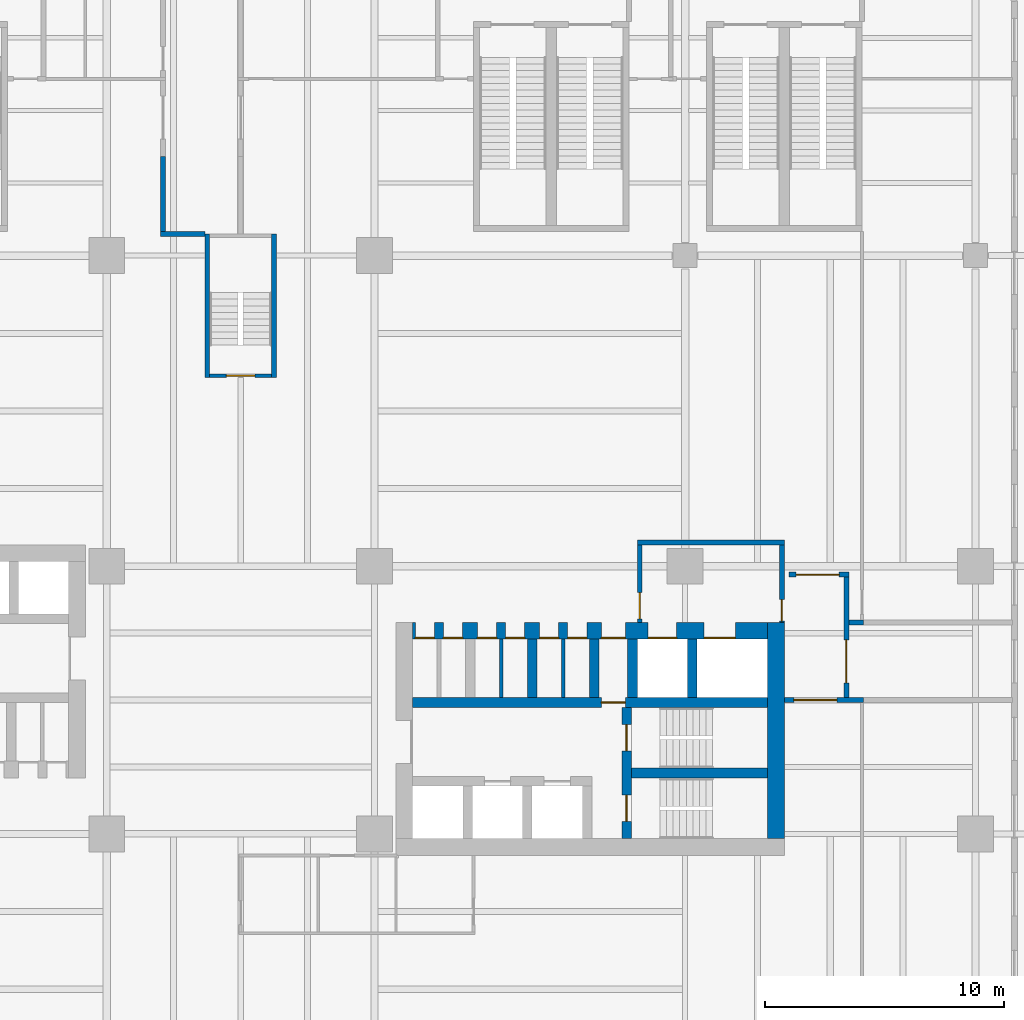
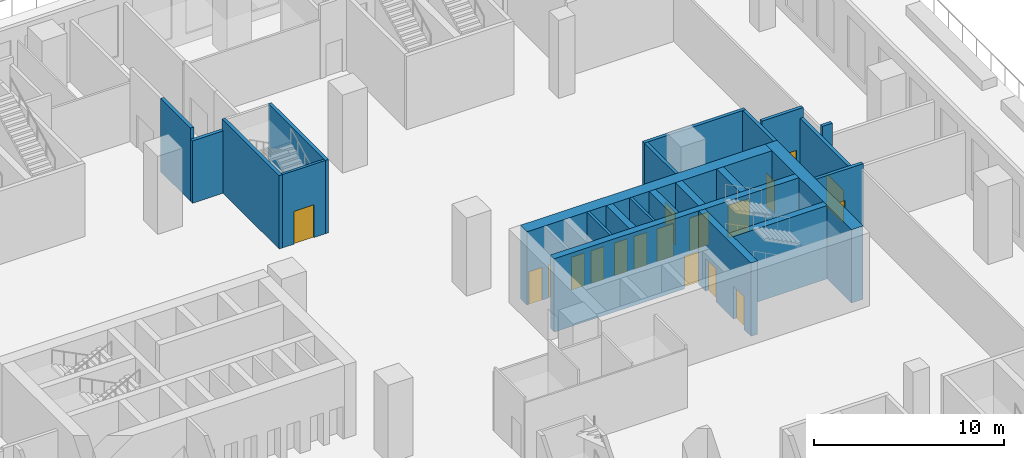
# One storey, part 10 of 17: 23 walls, 18 doors, 18 openings.
"""IFC4 building model written with IfcOpenShell, lengths in metres."""

from ifc_helpers import new_model, si_unit, direction, frame, frame_2d, origin, place, context, subcontext, project, spatial, rectangle, extrude, source, transform, mapped, material, layer, layer_set, type_object, element, fill, save


model = new_model("IFC4")

# Units and contexts
model_context = context("Model", 3, precision=1e-05, world=origin(), true_north=direction((0.0, 1.0)))
body_context = subcontext(model_context, "Body", "Model", "MODEL_VIEW")
ifc_project = project(units=[si_unit("LENGTHUNIT", "METRE"), si_unit("AREAUNIT", "SQUARE_METRE"), si_unit("VOLUMEUNIT", "CUBIC_METRE"), si_unit("PLANEANGLEUNIT", "RADIAN"), si_unit("MASSUNIT", "GRAM", prefix="KILO")], contexts=[model_context])

# Site, building, storey
site_placement = place(None, origin())
site = spatial("IfcSite", under=ifc_project, at=site_placement, CompositionType="ELEMENT")
building_placement = place(site_placement, origin())
building = spatial("IfcBuilding", under=site, at=building_placement, Name="Trellis Farm Tower", CompositionType="ELEMENT")
storey_placement = place(building_placement, frame((0.0, 0.0, 24.0)))
storey = spatial("IfcBuildingStorey", under=building, at=storey_placement, Name="L04", CompositionType="ELEMENT", Elevation=24.0)

# Walls
ifc_material_1 = material(Name="Concrete C80/95", Category="concrete")
ifc_layer_1 = layer(ifc_material_1, 0.699951171875)
ifc_layer_set_1 = layer_set([ifc_layer_1], Name="CORE OUTER WALL 700 CONCRETE C80/95")
wall_type_1 = type_object("IfcWallType", Name="CORE OUTER WALL 700 CONCRETE C80/95", PredefinedType="SHEAR", material=ifc_layer_set_1)
shared_shape_1 = source(origin(), body_context, "Body", "SweptSolid", [
    extrude(rectangle(XDim=9.050048828125, YDim=0.699951171875, at=frame_2d((4.52490234375, 0.0))), origin(), (0.0, 0.0, 1.0), 4.699951171875),
])
wall_1_placement = place(storey_placement, frame((22.39990234375, -5.800048828125, 0.0), z_axis=(0.0, 0.0, 1.0), x_axis=(0.0, 1.0, 0.0)))
element("IfcWall", 1, at=wall_1_placement, inside=storey, type_object=wall_type_1, Name="Core wall", PredefinedType="SHEAR", context=body_context, shape_type="MappedRepresentation", body=[
    mapped(shared_shape_1, transform((0.0, 0.0, 0.0))),
])
ifc_layer_2 = layer(ifc_material_1, 0.39990234375)
ifc_layer_set_2 = layer_set([ifc_layer_2], Name="CORE INNER WALL 400 CONCRETE C80/95")
wall_type_2 = type_object("IfcWallType", Name="CORE INNER WALL 400 CONCRETE C80/95", PredefinedType="SHEAR", material=ifc_layer_set_2)
shared_shape_2 = source(origin(), body_context, "Body", "SweptSolid", [
    extrude(rectangle(XDim=2.449951171875, YDim=0.39990234375, at=frame_2d((1.22509765625, 0.0))), origin(), (0.0, 0.0, 1.0), 4.699951171875),
])
for number, where, z_axis, x_axis, name in (
    (2, (12.199951171875, 0.10009765625, 0.0), (0.0, 0.0, 1.0), (0.0, 1.0, 0.0), "Core wall"),
    (3, (14.800048828125, 0.10009765625, 0.0), (0.0, 0.0, 1.0), (0.0, 1.0, 0.0), "Core wall"),
    (4, (16.39990234375, 0.10009765625, 0.0), (0.0, 0.0, 1.0), (0.0, 1.0, 0.0), "Core wall"),
    (5, (18.89990234375, 0.10009765625, 0.0), (0.0, 0.0, 1.0), (0.0, 1.0, 0.0), "Core wall"),
):
    element("IfcWall", number, at=place(storey_placement, frame(where, z_axis=z_axis, x_axis=x_axis)), inside=storey, type_object=wall_type_2, Name=name, PredefinedType="SHEAR", context=body_context, shape_type="MappedRepresentation", body=[
        mapped(shared_shape_2, transform((0.0, 0.0, 0.0))),
    ])

# Wall, opening, door
ifc_material_2 = material(Name="Masonry blockwork", Category="masonry")
ifc_layer_3 = layer(ifc_material_2, 0.199951171875)
ifc_layer_set_3 = layer_set([ifc_layer_3], Name="FIRE LOBBY PARTITION 200 BLOCKWORK")
wall_type_3 = type_object("IfcWallType", Name="FIRE LOBBY PARTITION 200 BLOCKWORK", PredefinedType="PARTITIONING", material=ifc_layer_set_3)
shared_shape_3 = source(origin(), body_context, "Body", "SweptSolid", [
    extrude(rectangle(XDim=3.25, YDim=0.199951171875, at=frame_2d((1.625, 0.0))), origin(), (0.0, 0.0, 1.0), 4.699951171875),
])
wall_2_placement = place(storey_placement, frame((16.699951171875, 3.25, 0.0), z_axis=(0.0, 0.0, 1.0), x_axis=(0.0, 1.0, 0.0)))
wall_2 = element("IfcWall", 6, at=wall_2_placement, inside=storey, type_object=wall_type_3, Name="Fire-fighting lobby partition", PredefinedType="PARTITIONING", context=body_context, shape_type="MappedRepresentation", body=[
    mapped(shared_shape_3, transform((0.0, 0.0, 0.0))),
])
shared_shape_4 = source(origin(), body_context, "Body", "SweptSolid", [
    extrude(rectangle(XDim=1.10009765625, YDim=2.10009765625, at=frame_2d((0.550048828125, 1.050048828125))), frame((0.0, 0.110107421875, 0.0), z_axis=(0.0, -1.0, 0.0), x_axis=(1.0, 0.0, 0.0)), (0.0, 0.0, 1.0), 0.22021484375),
])
opening_1_placement = place(wall_2_placement, frame((0.14990234375, 0.0, 0.0)))
opening_1 = element("IfcOpeningElement", 7, at=opening_1_placement, cuts=wall_2, Name="Opening DC7", PredefinedType="OPENING", context=body_context, shape_type="MappedRepresentation", body=[
    mapped(shared_shape_4, transform((0.0, 0.0, 0.0))),
])
ifc_material_3 = material(Name="Steel", Category="steel")
door_type_1 = type_object("IfcDoorType", Name="CORE FIRE DOOR 1100 X 2100", OperationType="NOTDEFINED", PredefinedType="DOOR", material=ifc_material_3)
shared_shape_5 = source(origin(), body_context, "Body", "SweptSolid", [
    extrude(rectangle(XDim=1.10009765625, YDim=2.10009765625, at=frame_2d((0.550048828125, 1.050048828125))), frame((0.0, 0.02490234375, 0.0), z_axis=(0.0, -1.0, 0.0), x_axis=(1.0, 0.0, 0.0)), (0.0, 0.0, 1.0), 0.050048828125),
])
door_1_placement = place(opening_1_placement, origin())
door_1 = element("IfcDoor", 8, at=door_1_placement, inside=storey, type_object=door_type_1, Name="Core door", OperationType="SINGLE_SWING_RIGHT", OverallHeight=2.10009765625, OverallWidth=1.10009765625, PredefinedType="DOOR", context=body_context, shape_type="MappedRepresentation", body=[
    mapped(shared_shape_5, transform((0.0, 0.0, 0.0))),
])
fill(opening_1, door_1)

wall_3_placement = place(storey_placement, frame((22.64990234375, 3.25, 0.0), z_axis=(0.0, 0.0, 1.0), x_axis=(0.0, 1.0, 0.0)))
wall_3 = element("IfcWall", 9, at=wall_3_placement, inside=storey, type_object=wall_type_3, Name="Fire-fighting lobby partition", PredefinedType="PARTITIONING", context=body_context, shape_type="MappedRepresentation", body=[
    mapped(shared_shape_3, transform((0.0, 0.0, 0.0))),
])
shared_shape_6 = source(origin(), body_context, "Body", "SweptSolid", [
    extrude(rectangle(XDim=0.89990234375, YDim=2.10009765625, at=frame_2d((0.449951171875, 1.050048828125))), frame((0.0, 0.110107421875, 0.0), z_axis=(0.0, -1.0, 0.0), x_axis=(1.0, 0.0, 0.0)), (0.0, 0.0, 1.0), 0.22021484375),
])
opening_2_placement = place(wall_3_placement, frame((0.050048828125, 0.0, 0.0)))
opening_2 = element("IfcOpeningElement", 10, at=opening_2_placement, cuts=wall_3, Name="Opening DC8", PredefinedType="OPENING", context=body_context, shape_type="MappedRepresentation", body=[
    mapped(shared_shape_6, transform((0.0, 0.0, 0.0))),
])
door_type_2 = type_object("IfcDoorType", Name="CORE FIRE DOOR 900 X 2100", OperationType="NOTDEFINED", PredefinedType="DOOR", material=ifc_material_3)
shared_shape_7 = source(origin(), body_context, "Body", "SweptSolid", [
    extrude(rectangle(XDim=0.89990234375, YDim=2.10009765625, at=frame_2d((0.449951171875, 1.050048828125))), frame((0.0, 0.02490234375, 0.0), z_axis=(0.0, -1.0, 0.0), x_axis=(1.0, 0.0, 0.0)), (0.0, 0.0, 1.0), 0.050048828125),
])
door_2_placement = place(opening_2_placement, origin())
door_2 = element("IfcDoor", 11, at=door_2_placement, inside=storey, type_object=door_type_2, Name="Core door", OperationType="SINGLE_SWING_RIGHT", OverallHeight=2.10009765625, OverallWidth=0.89990234375, PredefinedType="DOOR", context=body_context, shape_type="MappedRepresentation", body=[
    mapped(shared_shape_7, transform((0.0, 0.0, 0.0))),
])
fill(opening_2, door_2)

# Wall, openings, doors
shared_shape_8 = source(origin(), body_context, "Body", "SweptSolid", [
    extrude(rectangle(XDim=14.85009765625, YDim=0.699951171875, at=frame_2d((7.425048828125, 0.0))), origin(), (0.0, 0.0, 1.0), 4.699951171875),
])
wall_4_placement = place(storey_placement, frame((7.199951171875, 2.89990234375, 0.0), z_axis=(0.0, 0.0, 1.0), x_axis=(1.0, 0.0, 0.0)))
wall_4 = element("IfcWall", 12, at=wall_4_placement, inside=storey, type_object=wall_type_1, Name="Core wall", PredefinedType="SHEAR", context=body_context, shape_type="MappedRepresentation", body=[
    mapped(shared_shape_8, transform((0.0, 0.0, 0.0))),
])
shared_shape_9 = source(origin(), body_context, "Body", "SweptSolid", [
    extrude(rectangle(XDim=1.300048828125, YDim=2.10009765625, at=frame_2d((0.64990234375, 1.050048828125))), frame((0.0, 0.360107421875, 0.0), z_axis=(0.0, -1.0, 0.0), x_axis=(1.0, 0.0, 0.0)), (0.0, 0.0, 1.0), 0.72021484375),
])
opening_3_placement = place(wall_4_placement, frame((12.199951171875, 0.0, 0.0)))
opening_3 = element("IfcOpeningElement", 13, at=opening_3_placement, cuts=wall_4, Name="Opening LD7", PredefinedType="OPENING", context=body_context, shape_type="MappedRepresentation", body=[
    mapped(shared_shape_9, transform((0.0, 0.0, 0.0))),
])
shared_shape_10 = source(origin(), body_context, "Body", "SweptSolid", [
    extrude(rectangle(XDim=1.199951171875, YDim=2.10009765625, at=frame_2d((0.60009765625, 1.050048828125))), frame((0.0, 0.360107421875, 0.0), z_axis=(0.0, -1.0, 0.0), x_axis=(1.0, 0.0, 0.0)), (0.0, 0.0, 1.0), 0.72021484375),
])
opening_4_placement = place(wall_4_placement, frame((9.85009765625, 0.0, 0.0)))
opening_4 = element("IfcOpeningElement", 14, at=opening_4_placement, cuts=wall_4, Name="Opening LD8", PredefinedType="OPENING", context=body_context, shape_type="MappedRepresentation", body=[
    mapped(shared_shape_10, transform((0.0, 0.0, 0.0))),
])
shared_shape_11 = source(origin(), body_context, "Body", "SweptSolid", [
    extrude(rectangle(XDim=1.0, YDim=2.10009765625, at=frame_2d((0.5, 1.050048828125))), frame((0.0, 0.360107421875, 0.0), z_axis=(0.0, -1.0, 0.0), x_axis=(1.0, 0.0, 0.0)), (0.0, 0.0, 1.0), 0.72021484375),
])
opening_5_placement = place(wall_4_placement, frame((7.89990234375, 0.0, 0.0)))
opening_5 = element("IfcOpeningElement", 15, at=opening_5_placement, cuts=wall_4, Name="Opening DC6", PredefinedType="OPENING", context=body_context, shape_type="MappedRepresentation", body=[
    mapped(shared_shape_11, transform((0.0, 0.0, 0.0))),
])
shared_shape_12 = source(origin(), body_context, "Body", "SweptSolid", [
    extrude(rectangle(XDim=0.800048828125, YDim=2.10009765625, at=frame_2d((0.39990234375, 1.050048828125))), frame((0.0, 0.360107421875, 0.0), z_axis=(0.0, -1.0, 0.0), x_axis=(1.0, 0.0, 0.0)), (0.0, 0.0, 1.0), 0.72021484375),
])
opening_6_placement = place(wall_4_placement, frame((0.112548828125, 0.0, 0.0)))
opening_6 = element("IfcOpeningElement", 16, at=opening_6_placement, cuts=wall_4, Name="Opening DC9", PredefinedType="OPENING", context=body_context, shape_type="MappedRepresentation", body=[
    mapped(shared_shape_12, transform((0.0, 0.0, 0.0))),
])
opening_7_placement = place(wall_4_placement, frame((1.28759765625, 0.0, 0.0)))
opening_7 = element("IfcOpeningElement", 17, at=opening_7_placement, cuts=wall_4, Name="Opening DC16", PredefinedType="OPENING", context=body_context, shape_type="MappedRepresentation", body=[
    mapped(shared_shape_12, transform((0.0, 0.0, 0.0))),
])
opening_8_placement = place(wall_4_placement, frame((2.71240234375, 0.0, 0.0)))
opening_8 = element("IfcOpeningElement", 18, at=opening_8_placement, cuts=wall_4, Name="Opening DC21", PredefinedType="OPENING", context=body_context, shape_type="MappedRepresentation", body=[
    mapped(shared_shape_12, transform((0.0, 0.0, 0.0))),
])
opening_9_placement = place(wall_4_placement, frame((3.887451171875, 0.0, 0.0)))
opening_9 = element("IfcOpeningElement", 19, at=opening_9_placement, cuts=wall_4, Name="Opening DC28", PredefinedType="OPENING", context=body_context, shape_type="MappedRepresentation", body=[
    mapped(shared_shape_12, transform((0.0, 0.0, 0.0))),
])
opening_10_placement = place(wall_4_placement, frame((5.3125, 0.0, 0.0)))
opening_10 = element("IfcOpeningElement", 20, at=opening_10_placement, cuts=wall_4, Name="Opening DC33", PredefinedType="OPENING", context=body_context, shape_type="MappedRepresentation", body=[
    mapped(shared_shape_12, transform((0.0, 0.0, 0.0))),
])
opening_11_placement = place(wall_4_placement, frame((6.487548828125, 0.0, 0.0)))
opening_11 = element("IfcOpeningElement", 21, at=opening_11_placement, cuts=wall_4, Name="Opening DC40", PredefinedType="OPENING", context=body_context, shape_type="MappedRepresentation", body=[
    mapped(shared_shape_12, transform((0.0, 0.0, 0.0))),
])
door_type_3 = type_object("IfcDoorType", Name="CORE FIRE DOOR 1000 X 2100", OperationType="NOTDEFINED", PredefinedType="DOOR", material=ifc_material_3)
shared_shape_13 = source(origin(), body_context, "Body", "SweptSolid", [
    extrude(rectangle(XDim=1.0, YDim=2.10009765625, at=frame_2d((0.5, 1.050048828125))), frame((0.0, -0.27490234375, 0.0), z_axis=(0.0, -1.0, 0.0), x_axis=(1.0, 0.0, 0.0)), (0.0, 0.0, 1.0), 0.050048828125),
])
door_3_placement = place(opening_5_placement, origin())
door_3 = element("IfcDoor", 22, at=door_3_placement, inside=storey, type_object=door_type_3, Name="Core door", OperationType="SINGLE_SWING_LEFT", OverallHeight=2.10009765625, OverallWidth=1.0, PredefinedType="DOOR", context=body_context, shape_type="MappedRepresentation", body=[
    mapped(shared_shape_13, transform((0.0, 0.0, 0.0))),
])
fill(opening_5, door_3)
ifc_material_4 = material(Name="Stainless steel", Category="steel")
door_type_4 = type_object("IfcDoorType", Name="LIFT LANDING DOOR 1300 X 2100", OperationType="DOUBLE_DOOR_SLIDING", PredefinedType="DOOR", material=ifc_material_4)
shared_shape_14 = source(origin(), body_context, "Body", "SweptSolid", [
    extrude(rectangle(XDim=1.300048828125, YDim=2.10009765625, at=frame_2d((0.64990234375, 1.050048828125))), frame((0.0, -0.27490234375, 0.0), z_axis=(0.0, -1.0, 0.0), x_axis=(1.0, 0.0, 0.0)), (0.0, 0.0, 1.0), 0.050048828125),
])
door_4_placement = place(opening_3_placement, origin())
door_4 = element("IfcDoor", 23, at=door_4_placement, inside=storey, type_object=door_type_4, Name="Lift landing door", OperationType="DOUBLE_DOOR_SLIDING", OverallHeight=2.10009765625, OverallWidth=1.300048828125, PredefinedType="DOOR", context=body_context, shape_type="MappedRepresentation", body=[
    mapped(shared_shape_14, transform((0.0, 0.0, 0.0))),
])
fill(opening_3, door_4)
door_type_5 = type_object("IfcDoorType", Name="LIFT LANDING DOOR 1200 X 2100", OperationType="DOUBLE_DOOR_SLIDING", PredefinedType="DOOR", material=ifc_material_4)
shared_shape_15 = source(origin(), body_context, "Body", "SweptSolid", [
    extrude(rectangle(XDim=1.199951171875, YDim=2.10009765625, at=frame_2d((0.60009765625, 1.050048828125))), frame((0.0, -0.27490234375, 0.0), z_axis=(0.0, -1.0, 0.0), x_axis=(1.0, 0.0, 0.0)), (0.0, 0.0, 1.0), 0.050048828125),
])
door_5_placement = place(opening_4_placement, origin())
door_5 = element("IfcDoor", 24, at=door_5_placement, inside=storey, type_object=door_type_5, Name="Lift landing door", OperationType="DOUBLE_DOOR_SLIDING", OverallHeight=2.10009765625, OverallWidth=1.199951171875, PredefinedType="DOOR", context=body_context, shape_type="MappedRepresentation", body=[
    mapped(shared_shape_15, transform((0.0, 0.0, 0.0))),
])
fill(opening_4, door_5)
door_type_6 = type_object("IfcDoorType", Name="CORE FIRE DOOR 800 X 2100", OperationType="NOTDEFINED", PredefinedType="DOOR", material=ifc_material_3)
shared_shape_16 = source(origin(), body_context, "Body", "SweptSolid", [
    extrude(rectangle(XDim=0.800048828125, YDim=2.10009765625, at=frame_2d((0.39990234375, 1.050048828125))), frame((0.0, -0.27490234375, 0.0), z_axis=(0.0, -1.0, 0.0), x_axis=(1.0, 0.0, 0.0)), (0.0, 0.0, 1.0), 0.050048828125),
])
door_6_placement = place(opening_6_placement, origin())
door_6 = element("IfcDoor", 25, at=door_6_placement, inside=storey, type_object=door_type_6, Name="Core door", OperationType="SINGLE_SWING_LEFT", OverallHeight=2.10009765625, OverallWidth=0.800048828125, PredefinedType="DOOR", context=body_context, shape_type="MappedRepresentation", body=[
    mapped(shared_shape_16, transform((0.0, 0.0, 0.0))),
])
fill(opening_6, door_6)
door_7_placement = place(opening_7_placement, origin())
door_7 = element("IfcDoor", 26, at=door_7_placement, inside=storey, type_object=door_type_6, Name="Core door", OperationType="SINGLE_SWING_RIGHT", OverallHeight=2.10009765625, OverallWidth=0.800048828125, PredefinedType="DOOR", context=body_context, shape_type="MappedRepresentation", body=[
    mapped(shared_shape_16, transform((0.0, 0.0, 0.0))),
])
fill(opening_7, door_7)
door_8_placement = place(opening_8_placement, origin())
door_8 = element("IfcDoor", 27, at=door_8_placement, inside=storey, type_object=door_type_6, Name="Core door", OperationType="SINGLE_SWING_LEFT", OverallHeight=2.10009765625, OverallWidth=0.800048828125, PredefinedType="DOOR", context=body_context, shape_type="MappedRepresentation", body=[
    mapped(shared_shape_16, transform((0.0, 0.0, 0.0))),
])
fill(opening_8, door_8)
door_9_placement = place(opening_9_placement, origin())
door_9 = element("IfcDoor", 28, at=door_9_placement, inside=storey, type_object=door_type_6, Name="Core door", OperationType="SINGLE_SWING_RIGHT", OverallHeight=2.10009765625, OverallWidth=0.800048828125, PredefinedType="DOOR", context=body_context, shape_type="MappedRepresentation", body=[
    mapped(shared_shape_16, transform((0.0, 0.0, 0.0))),
])
fill(opening_9, door_9)
door_10_placement = place(opening_10_placement, origin())
door_10 = element("IfcDoor", 29, at=door_10_placement, inside=storey, type_object=door_type_6, Name="Core door", OperationType="SINGLE_SWING_LEFT", OverallHeight=2.10009765625, OverallWidth=0.800048828125, PredefinedType="DOOR", context=body_context, shape_type="MappedRepresentation", body=[
    mapped(shared_shape_16, transform((0.0, 0.0, 0.0))),
])
fill(opening_10, door_10)
door_11_placement = place(opening_11_placement, origin())
door_11 = element("IfcDoor", 30, at=door_11_placement, inside=storey, type_object=door_type_6, Name="Core door", OperationType="SINGLE_SWING_RIGHT", OverallHeight=2.10009765625, OverallWidth=0.800048828125, PredefinedType="DOOR", context=body_context, shape_type="MappedRepresentation", body=[
    mapped(shared_shape_16, transform((0.0, 0.0, 0.0))),
])
fill(opening_11, door_11)

# Wall, opening, door
shared_shape_17 = source(origin(), body_context, "Body", "SweptSolid", [
    extrude(rectangle(XDim=14.85009765625, YDim=0.39990234375, at=frame_2d((7.425048828125, 0.0))), origin(), (0.0, 0.0, 1.0), 4.699951171875),
])
wall_5_placement = place(storey_placement, frame((7.199951171875, -0.10009765625, 0.0), z_axis=(0.0, 0.0, 1.0), x_axis=(1.0, 0.0, 0.0)))
wall_5 = element("IfcWall", 31, at=wall_5_placement, inside=storey, type_object=wall_type_2, Name="Core wall", PredefinedType="SHEAR", context=body_context, shape_type="MappedRepresentation", body=[
    mapped(shared_shape_17, transform((0.0, 0.0, 0.0))),
])
shared_shape_18 = source(origin(), body_context, "Body", "SweptSolid", [
    extrude(rectangle(XDim=1.0, YDim=2.10009765625, at=frame_2d((0.5, 1.050048828125))), frame((0.0, 0.2099609375, 0.0), z_axis=(0.0, -1.0, 0.0), x_axis=(1.0, 0.0, 0.0)), (0.0, 0.0, 1.0), 0.419921875),
])
opening_12_placement = place(wall_5_placement, frame((7.89990234375, 0.0, 0.0)))
opening_12 = element("IfcOpeningElement", 32, at=opening_12_placement, cuts=wall_5, Name="Opening DC5", PredefinedType="OPENING", context=body_context, shape_type="MappedRepresentation", body=[
    mapped(shared_shape_18, transform((0.0, 0.0, 0.0))),
])
shared_shape_19 = source(origin(), body_context, "Body", "SweptSolid", [
    extrude(rectangle(XDim=1.0, YDim=2.10009765625, at=frame_2d((0.5, 1.050048828125))), frame((0.0, 0.02490234375, 0.0), z_axis=(0.0, -1.0, 0.0), x_axis=(1.0, 0.0, 0.0)), (0.0, 0.0, 1.0), 0.050048828125),
])
door_12_placement = place(opening_12_placement, origin())
door_12 = element("IfcDoor", 33, at=door_12_placement, inside=storey, type_object=door_type_3, Name="Core door", OperationType="SINGLE_SWING_RIGHT", OverallHeight=2.10009765625, OverallWidth=1.0, PredefinedType="DOOR", context=body_context, shape_type="MappedRepresentation", body=[
    mapped(shared_shape_19, transform((0.0, 0.0, 0.0))),
])
fill(opening_12, door_12)

# Wall, openings, doors
shared_shape_20 = source(origin(), body_context, "Body", "SweptSolid", [
    extrude(rectangle(XDim=5.5, YDim=0.39990234375, at=frame_2d((2.75, 0.0))), origin(), (0.0, 0.0, 1.0), 4.699951171875),
])
wall_6_placement = place(storey_placement, frame((16.14990234375, -5.800048828125, 0.0), z_axis=(0.0, 0.0, 1.0), x_axis=(0.0, 1.0, 0.0)))
wall_6 = element("IfcWall", 34, at=wall_6_placement, inside=storey, type_object=wall_type_2, Name="Core wall", PredefinedType="SHEAR", context=body_context, shape_type="MappedRepresentation", body=[
    mapped(shared_shape_20, transform((0.0, 0.0, 0.0))),
])
shared_shape_21 = source(origin(), body_context, "Body", "SweptSolid", [
    extrude(rectangle(XDim=1.10009765625, YDim=2.10009765625, at=frame_2d((0.550048828125, 1.050048828125))), frame((0.0, 0.2099609375, 0.0), z_axis=(0.0, -1.0, 0.0), x_axis=(1.0, 0.0, 0.0)), (0.0, 0.0, 1.0), 0.419921875),
])
opening_13_placement = place(wall_6_placement, frame((0.72509765625, 0.0, 0.0)))
opening_13 = element("IfcOpeningElement", 35, at=opening_13_placement, cuts=wall_6, Name="Opening DC2", PredefinedType="OPENING", context=body_context, shape_type="MappedRepresentation", body=[
    mapped(shared_shape_21, transform((0.0, 0.0, 0.0))),
])
opening_14_placement = place(wall_6_placement, frame((3.675048828125, 0.0, 0.0)))
opening_14 = element("IfcOpeningElement", 36, at=opening_14_placement, cuts=wall_6, Name="Opening DC3", PredefinedType="OPENING", context=body_context, shape_type="MappedRepresentation", body=[
    mapped(shared_shape_21, transform((0.0, 0.0, 0.0))),
])
door_13_placement = place(opening_13_placement, origin())
door_13 = element("IfcDoor", 37, at=door_13_placement, inside=storey, type_object=door_type_1, Name="Core door", OperationType="SINGLE_SWING_RIGHT", OverallHeight=2.10009765625, OverallWidth=1.10009765625, PredefinedType="DOOR", context=body_context, shape_type="MappedRepresentation", body=[
    mapped(shared_shape_5, transform((0.0, 0.0, 0.0))),
])
fill(opening_13, door_13)
door_14_placement = place(opening_14_placement, origin())
door_14 = element("IfcDoor", 38, at=door_14_placement, inside=storey, type_object=door_type_1, Name="Core door", OperationType="SINGLE_SWING_LEFT", OverallHeight=2.10009765625, OverallWidth=1.10009765625, PredefinedType="DOOR", context=body_context, shape_type="MappedRepresentation", body=[
    mapped(shared_shape_5, transform((0.0, 0.0, 0.0))),
])
fill(opening_14, door_14)

# Walls
shared_shape_22 = source(origin(), body_context, "Body", "SweptSolid", [
    extrude(rectangle(XDim=5.699951171875, YDim=0.39990234375, at=frame_2d((2.85009765625, 0.0))), origin(), (0.0, 0.0, 1.0), 4.699951171875),
])
wall_7_placement = place(storey_placement, frame((16.35009765625, -3.050048828125, 0.0), z_axis=(0.0, 0.0, 1.0), x_axis=(1.0, 0.0, 0.0)))
element("IfcWall", 39, at=wall_7_placement, inside=storey, type_object=wall_type_2, Name="Core wall", PredefinedType="SHEAR", context=body_context, shape_type="MappedRepresentation", body=[
    mapped(shared_shape_22, transform((0.0, 0.0, 0.0))),
])
shared_shape_23 = source(origin(), body_context, "Body", "SweptSolid", [
    extrude(rectangle(XDim=6.14990234375, YDim=0.199951171875, at=frame_2d((3.074951171875, 0.0))), origin(), (0.0, 0.0, 1.0), 4.699951171875),
])
wall_8_placement = place(storey_placement, frame((16.60009765625, 6.60009765625, 0.0), z_axis=(0.0, 0.0, 1.0), x_axis=(1.0, 0.0, 0.0)))
element("IfcWall", 40, at=wall_8_placement, inside=storey, type_object=wall_type_3, Name="Fire-fighting lobby partition", PredefinedType="PARTITIONING", context=body_context, shape_type="MappedRepresentation", body=[
    mapped(shared_shape_23, transform((0.0, 0.0, 0.0))),
])
ifc_layer_4 = layer(ifc_material_2, 0.14990234375)
ifc_layer_set_4 = layer_set([ifc_layer_4], Name="CORE PARTITION 150 BLOCKWORK")
wall_type_4 = type_object("IfcWallType", Name="CORE PARTITION 150 BLOCKWORK", PredefinedType="PARTITIONING", material=ifc_layer_set_4)
shared_shape_24 = source(origin(), body_context, "Body", "SweptSolid", [
    extrude(rectangle(XDim=2.449951171875, YDim=0.14990234375, at=frame_2d((1.22509765625, 0.0))), origin(), (0.0, 0.0, 1.0), 4.699951171875),
])
for number, where, z_axis, x_axis, name in (
    (41, (10.89990234375, 0.10009765625, 0.0), (0.0, 0.0, 1.0), (0.0, 1.0, 0.0), "Core room partition"),
    (42, (13.5, 0.10009765625, 0.0), (0.0, 0.0, 1.0), (0.0, 1.0, 0.0), "Core room partition"),
):
    element("IfcWall", number, at=place(storey_placement, frame(where, z_axis=z_axis, x_axis=x_axis)), inside=storey, type_object=wall_type_4, Name=name, PredefinedType="PARTITIONING", context=body_context, shape_type="MappedRepresentation", body=[
        mapped(shared_shape_24, transform((0.0, 0.0, 0.0))),
    ])
ifc_layer_5 = layer(ifc_material_1, 0.199951171875)
ifc_layer_set_5 = layer_set([ifc_layer_5], Name="CORE STAIR ENCLOSURE WALL 200 CONCRETE C80/95")
wall_type_5 = type_object("IfcWallType", Name="CORE STAIR ENCLOSURE WALL 200 CONCRETE C80/95", PredefinedType="SHEAR", material=ifc_layer_set_5)
shared_shape_25 = source(origin(), body_context, "Body", "SweptSolid", [
    extrude(rectangle(XDim=6.0, YDim=0.199951171875, at=frame_2d((3.0, 0.0))), origin(), (0.0, 0.0, 1.0), 4.699951171875),
])
for number, where, z_axis, x_axis, name in (
    (43, (-1.39990234375, 13.5, 0.0), (0.0, 0.0, 1.0), (0.0, 1.0, 0.0), "Stair enclosure wall"),
    (44, (1.39990234375, 13.5, 0.0), (0.0, 0.0, 1.0), (0.0, 1.0, 0.0), "Stair enclosure wall"),
):
    element("IfcWall", number, at=place(storey_placement, frame(where, z_axis=z_axis, x_axis=x_axis)), inside=storey, type_object=wall_type_5, Name=name, PredefinedType="SHEAR", context=body_context, shape_type="MappedRepresentation", body=[
        mapped(shared_shape_25, transform((0.0, 0.0, 0.0))),
    ])

# Wall, opening, door
ifc_layer_6 = layer(ifc_material_1, 0.14990234375)
ifc_layer_set_6 = layer_set([ifc_layer_6], Name="CORE STAIR ENCLOSURE WALL 150 CONCRETE C80/95")
wall_type_6 = type_object("IfcWallType", Name="CORE STAIR ENCLOSURE WALL 150 CONCRETE C80/95", PredefinedType="SHEAR", material=ifc_layer_set_6)
shared_shape_26 = source(origin(), body_context, "Body", "SweptSolid", [
    extrude(rectangle(XDim=2.60009765625, YDim=0.14990234375, at=frame_2d((1.300048828125, 0.0))), origin(), (0.0, 0.0, 1.0), 4.699951171875),
])
wall_9_placement = place(storey_placement, frame((-1.300048828125, 13.574951171875, 0.0), z_axis=(0.0, 0.0, 1.0), x_axis=(1.0, 0.0, 0.0)))
wall_9 = element("IfcWall", 45, at=wall_9_placement, inside=storey, type_object=wall_type_6, Name="Stair enclosure wall", PredefinedType="SHEAR", context=body_context, shape_type="MappedRepresentation", body=[
    mapped(shared_shape_26, transform((0.0, 0.0, 0.0))),
])
shared_shape_27 = source(origin(), body_context, "Body", "SweptSolid", [
    extrude(rectangle(XDim=1.199951171875, YDim=2.10009765625, at=frame_2d((0.60009765625, 1.050048828125))), frame((0.0, 0.0849609375, 0.0), z_axis=(0.0, -1.0, 0.0), x_axis=(1.0, 0.0, 0.0)), (0.0, 0.0, 1.0), 0.169921875),
])
opening_15_placement = place(wall_9_placement, frame((0.699951171875, 0.0, 0.0)))
opening_15 = element("IfcOpeningElement", 46, at=opening_15_placement, cuts=wall_9, Name="Opening DC173", PredefinedType="OPENING", context=body_context, shape_type="MappedRepresentation", body=[
    mapped(shared_shape_27, transform((0.0, 0.0, 0.0))),
])
door_type_7 = type_object("IfcDoorType", Name="CORE FIRE DOOR 1200 X 2100", OperationType="NOTDEFINED", PredefinedType="DOOR", material=ifc_material_3)
shared_shape_28 = source(origin(), body_context, "Body", "SweptSolid", [
    extrude(rectangle(XDim=1.199951171875, YDim=2.10009765625, at=frame_2d((0.60009765625, 1.050048828125))), frame((0.0, 0.02490234375, 0.0), z_axis=(0.0, -1.0, 0.0), x_axis=(1.0, 0.0, 0.0)), (0.0, 0.0, 1.0), 0.050048828125),
])
door_15_placement = place(opening_15_placement, origin())
door_15 = element("IfcDoor", 47, at=door_15_placement, inside=storey, type_object=door_type_7, Name="Core door", OperationType="SINGLE_SWING_LEFT", OverallHeight=2.10009765625, OverallWidth=1.199951171875, PredefinedType="DOOR", context=body_context, shape_type="MappedRepresentation", body=[
    mapped(shared_shape_28, transform((0.0, 0.0, 0.0))),
])
fill(opening_15, door_15)

# Walls
ifc_material_5 = material(Name="Lightweight blockwork, plastered", Category="masonry")
ifc_layer_7 = layer(ifc_material_5, 0.199951171875)
ifc_layer_set_7 = layer_set([ifc_layer_7], Name="BLOCK WALL 200 EI 120")
wall_type_7 = type_object("IfcWallType", Name="BLOCK WALL 200 EI 120", PredefinedType="PARTITIONING", material=ifc_layer_set_7)
shared_shape_29 = source(origin(), body_context, "Body", "SweptSolid", [
    extrude(rectangle(XDim=1.85009765625, YDim=0.199951171875, at=frame_2d((0.925048828125, 0.0))), origin(), (0.0, 0.0, 1.0), 3.996337890625),
])
wall_10_placement = place(storey_placement, frame((-1.5, 19.5, 0.0), z_axis=(0.0, 0.0, 1.0), x_axis=(-1.0, 0.0, 0.0)))
element("IfcWall", 48, at=wall_10_placement, inside=storey, type_object=wall_type_7, Name="Partition PW3", PredefinedType="PARTITIONING", context=body_context, shape_type="MappedRepresentation", body=[
    mapped(shared_shape_29, transform((0.0, 0.0, 0.0))),
])
shared_shape_30 = source(origin(), body_context, "Body", "SweptSolid", [
    extrude(rectangle(XDim=3.14990234375, YDim=0.199951171875, at=frame_2d((1.574951171875, 0.0))), origin(), (0.0, 0.0, 1.0), 4.699951171875),
])
wall_11_placement = place(storey_placement, frame((-3.25, 19.60009765625, 0.0), z_axis=(0.0, 0.0, 1.0), x_axis=(0.0, 1.0, 0.0)))
element("IfcWall", 49, at=wall_11_placement, inside=storey, type_object=wall_type_7, Name="Partition PW3", PredefinedType="PARTITIONING", context=body_context, shape_type="MappedRepresentation", body=[
    mapped(shared_shape_30, transform((0.0, 0.0, 0.0))),
])

# Wall, opening, door
shared_shape_31 = source(origin(), body_context, "Body", "SweptSolid", [
    extrude(rectangle(XDim=5.0498046875, YDim=0.199951171875, at=frame_2d((2.52490234375, 0.0))), origin(), (0.0, 0.0, 1.0), 4.077392578125),
])
wall_12_placement = place(storey_placement, frame((25.35009765625, 5.14990234375, 0.0), z_axis=(0.0, 0.0, 1.0), x_axis=(0.0, -1.0, 0.0)))
wall_12 = element("IfcWall", 50, at=wall_12_placement, inside=storey, type_object=wall_type_7, Name="Partition PW3", PredefinedType="PARTITIONING", context=body_context, shape_type="MappedRepresentation", body=[
    mapped(shared_shape_31, transform((0.0, 0.0, 0.0))),
])
shared_shape_32 = source(origin(), body_context, "Body", "SweptSolid", [
    extrude(rectangle(XDim=1.800048828125, YDim=2.10009765625, at=frame_2d((0.89990234375, 1.050048828125))), frame((0.0, 0.110107421875, 0.0), z_axis=(0.0, -1.0, 0.0), x_axis=(1.0, 0.0, 0.0)), (0.0, 0.0, 1.0), 0.22021484375),
])
opening_16_placement = place(wall_12_placement, frame((2.625, 0.0, 0.0)))
opening_16 = element("IfcOpeningElement", 51, at=opening_16_placement, cuts=wall_12, Name="Opening D407", PredefinedType="OPENING", context=body_context, shape_type="MappedRepresentation", body=[
    mapped(shared_shape_32, transform((0.0, 0.0, 0.0))),
])
ifc_material_6 = material(Name="Fire-rated timber door leaf in a hollow metal frame", Category="wood")
door_type_8 = type_object("IfcDoorType", Name="DOOR PAIR 1800x2100 FD60", OperationType="NOTDEFINED", PredefinedType="DOOR", material=ifc_material_6)
shared_shape_33 = source(origin(), body_context, "Body", "SweptSolid", [
    extrude(rectangle(XDim=1.800048828125, YDim=2.10009765625, at=frame_2d((0.89990234375, 1.050048828125))), frame((0.0, 0.02490234375, 0.0), z_axis=(0.0, -1.0, 0.0), x_axis=(1.0, 0.0, 0.0)), (0.0, 0.0, 1.0), 0.050048828125),
])
door_16_placement = place(opening_16_placement, origin())
door_16 = element("IfcDoor", 52, at=door_16_placement, inside=storey, type_object=door_type_8, Name="Door D407", OperationType="DOUBLE_DOOR_SINGLE_SWING", OverallHeight=2.10009765625, OverallWidth=1.800048828125, PredefinedType="DOOR", context=body_context, shape_type="MappedRepresentation", body=[
    mapped(shared_shape_33, transform((0.0, 0.0, 0.0))),
])
fill(opening_16, door_16)

shared_shape_34 = source(origin(), body_context, "Body", "SweptSolid", [
    extrude(rectangle(XDim=3.3125, YDim=0.199951171875, at=frame_2d((1.65625, 0.0))), origin(), (0.0, 0.0, 1.0), 4.077392578125),
])
wall_13_placement = place(storey_placement, frame((26.0625, 0.0, 0.0), z_axis=(0.0, 0.0, 1.0), x_axis=(-1.0, 0.0, 0.0)))
wall_13 = element("IfcWall", 53, at=wall_13_placement, inside=storey, type_object=wall_type_7, Name="Partition PW3", PredefinedType="PARTITIONING", context=body_context, shape_type="MappedRepresentation", body=[
    mapped(shared_shape_34, transform((0.0, 0.0, 0.0))),
])
opening_17_placement = place(wall_13_placement, frame((1.112548828125, 0.0, 0.0)))
opening_17 = element("IfcOpeningElement", 54, at=opening_17_placement, cuts=wall_13, Name="Opening D406", PredefinedType="OPENING", context=body_context, shape_type="MappedRepresentation", body=[
    mapped(shared_shape_32, transform((0.0, 0.0, 0.0))),
])
door_17_placement = place(opening_17_placement, origin())
door_17 = element("IfcDoor", 55, at=door_17_placement, inside=storey, type_object=door_type_8, Name="Door D406", OperationType="DOUBLE_DOOR_SINGLE_SWING", OverallHeight=2.10009765625, OverallWidth=1.800048828125, PredefinedType="DOOR", context=body_context, shape_type="MappedRepresentation", body=[
    mapped(shared_shape_33, transform((0.0, 0.0, 0.0))),
])
fill(opening_17, door_17)

# Wall
shared_shape_35 = source(origin(), body_context, "Body", "SweptSolid", [
    extrude(rectangle(XDim=0.612548828125, YDim=0.199951171875, at=frame_2d((0.30615234375, 0.0))), origin(), (0.0, 0.0, 1.0), 4.699951171875),
])
wall_14_placement = place(storey_placement, frame((25.449951171875, 3.25, 0.0), z_axis=(0.0, 0.0, 1.0), x_axis=(1.0, 0.0, 0.0)))
element("IfcWall", 56, at=wall_14_placement, inside=storey, type_object=wall_type_7, Name="Partition PW3", PredefinedType="PARTITIONING", context=body_context, shape_type="MappedRepresentation", body=[
    mapped(shared_shape_35, transform((0.0, 0.0, 0.0))),
])

# Wall, opening, door
shared_shape_36 = source(origin(), body_context, "Body", "SweptSolid", [
    extrude(rectangle(XDim=2.5, YDim=0.199951171875, at=frame_2d((1.25, 0.0))), origin(), (0.0, 0.0, 1.0), 4.699951171875),
])
wall_15_placement = place(storey_placement, frame((22.949951171875, 5.25, 0.0), z_axis=(0.0, 0.0, 1.0), x_axis=(1.0, 0.0, 0.0)))
wall_15 = element("IfcWall", 57, at=wall_15_placement, inside=storey, type_object=wall_type_7, Name="Partition PW3", PredefinedType="PARTITIONING", context=body_context, shape_type="MappedRepresentation", body=[
    mapped(shared_shape_36, transform((0.0, 0.0, 0.0))),
])
opening_18_placement = place(wall_15_placement, frame((0.300048828125, 0.0, 0.0)))
opening_18 = element("IfcOpeningElement", 58, at=opening_18_placement, cuts=wall_15, Name="Opening D408", PredefinedType="OPENING", context=body_context, shape_type="MappedRepresentation", body=[
    mapped(shared_shape_32, transform((0.0, 0.0, 0.0))),
])
door_18_placement = place(opening_18_placement, origin())
door_18 = element("IfcDoor", 59, at=door_18_placement, inside=storey, type_object=door_type_8, Name="Door D408", OperationType="DOUBLE_DOOR_SINGLE_SWING", OverallHeight=2.10009765625, OverallWidth=1.800048828125, PredefinedType="DOOR", context=body_context, shape_type="MappedRepresentation", body=[
    mapped(shared_shape_33, transform((0.0, 0.0, 0.0))),
])
fill(opening_18, door_18)

save(model, "model.ifc")
